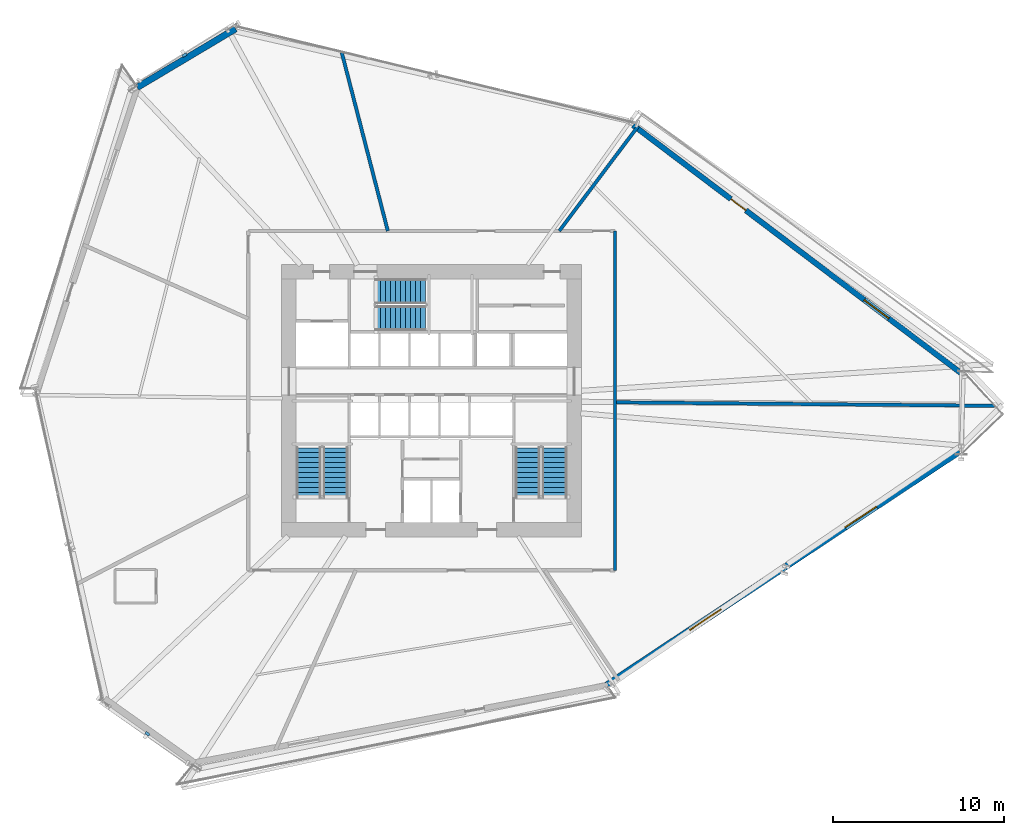
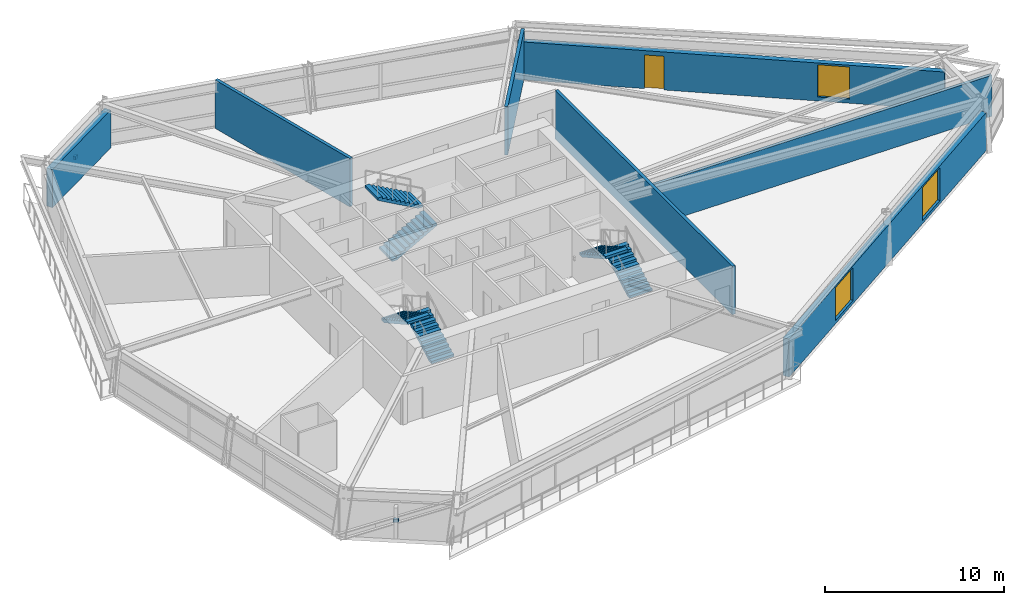
# One storey, part 20 of 24: 7 walls, 6 stair flights, 3 windows, 2 discrete accessories, 1 door, 4 openings, 3 elements without a shape of their own.
"""IFC4 building model written with IfcOpenShell, lengths in metres."""

import ifcopenshell
import ifcopenshell.guid

model = None  # the IFC model being written
_history = None  # IfcOwnerHistory: only IFC2X3 demands one
_inside = {}  # id of a spatial element -> (the spatial element, [elements in it])
_under = {}  # id of a project, library or spatial element -> (it, [spatial elements below it])
_declared = {}  # id of a project -> (the project, [libraries it declares])
_typed = {}  # id of a type object -> (the type object, [elements of that type])
_made_of = {}  # id of a material, layer set ... -> (it, [elements and type objects made of it])


def new_model(schema):
    """Start an empty IFC model of exactly this schema.

    Asked for "IFC4X3", IfcOpenShell would pick the latest addendum, in which some entities
    have other attributes; the version numbers below select the first issue.
    IFC2X3 requires an IfcOwnerHistory on every rooted entity: one is made here for all.
    """
    global model, _history
    if schema == "IFC4X3":
        model = ifcopenshell.file(schema_version=(4, 3, 0, 0))
    else:
        model = ifcopenshell.file(schema=schema)
    _inside.clear()
    _under.clear()
    _declared.clear()
    _typed.clear()
    _made_of.clear()
    _history = None
    if model.schema == "IFC2X3":
        org = make("IfcOrganization", Name="unknown")
        user = make(
            "IfcPersonAndOrganization",
            ThePerson=make("IfcPerson", FamilyName="unknown"),
            TheOrganization=org,
        )
        app = make(
            "IfcApplication",
            ApplicationDeveloper=org,
            Version="unknown",
            ApplicationFullName="unknown",
            ApplicationIdentifier="unknown",
        )
        _history = make(
            "IfcOwnerHistory",
            OwningUser=user,
            OwningApplication=app,
            ChangeAction="ADDED",
            CreationDate=0,
        )
    return model


def make(cls, **values):
    """One entity of the class cls with the attributes given. An attribute that is None is left unset."""
    return model.create_entity(
        cls, **{name: value for name, value in values.items() if value is not None}
    )


def rooted(cls, **values):
    """An entity with a GlobalId (a new one), such as an element, a storey or a relation."""
    return make(cls, GlobalId=ifcopenshell.guid.new(), OwnerHistory=_history, **values)


def si_unit(unit_type, name, prefix=None):
    """IfcSIUnit, for example si_unit("LENGTHUNIT", "METRE", prefix="MILLI")."""
    return make("IfcSIUnit", UnitType=unit_type, Prefix=prefix, Name=name)


def assignment(units):
    """IfcUnitAssignment: the units of a project."""
    return None if units is None else make("IfcUnitAssignment", Units=units)


def point(xyz):
    """IfcCartesianPoint."""
    return None if xyz is None else make("IfcCartesianPoint", Coordinates=xyz)


def direction(xyz):
    """IfcDirection."""
    return None if xyz is None else make("IfcDirection", DirectionRatios=xyz)


def frame(location, z_axis=None, x_axis=None):
    """IfcAxis2Placement3D, a coordinate frame: its origin and axes. An axis left out is left unset."""
    return make(
        "IfcAxis2Placement3D",
        Location=point(location),
        Axis=direction(z_axis),
        RefDirection=direction(x_axis),
    )


def frame_2d(location, x_axis=None):
    """IfcAxis2Placement2D, a coordinate frame in the plane: its origin and x axis."""
    return make(
        "IfcAxis2Placement2D", Location=point(location), RefDirection=direction(x_axis)
    )


def origin():
    """The frame at (0, 0, 0) with its axes left unset."""
    return frame((0.0, 0.0, 0.0))


def origin_2d():
    """The frame at (0, 0) in the plane with its x axis left unset."""
    return frame_2d((0.0, 0.0))


def place(relative_to, where):
    """IfcLocalPlacement: puts the frame where relative to a parent placement (None: the world)."""
    return make(
        "IfcLocalPlacement", PlacementRelTo=relative_to, RelativePlacement=where
    )


def context(
    kind, dimensions, precision=None, world=None, true_north=None, identifier=None
):
    """IfcGeometricRepresentationContext, for example the 3D "Model" context."""
    return make(
        "IfcGeometricRepresentationContext",
        ContextIdentifier=identifier,
        ContextType=kind,
        CoordinateSpaceDimension=dimensions,
        Precision=precision,
        WorldCoordinateSystem=world,
        TrueNorth=true_north,
    )


def subcontext(parent, identifier, kind, view, scale=None):
    """IfcGeometricRepresentationSubContext, for example "Body" below "Model"."""
    return make(
        "IfcGeometricRepresentationSubContext",
        ContextIdentifier=identifier,
        ContextType=kind,
        ParentContext=parent,
        TargetScale=scale,
        TargetView=view,
    )


def project(units=None, contexts=None):
    """IfcProject with its units and contexts."""
    return rooted(
        "IfcProject",
        Name="project",
        RepresentationContexts=contexts,
        UnitsInContext=assignment(units),
    )


def spatial(cls, under=None, at=None, **own):
    """A site, building, storey or space (cls), placed at a placement, below another one or the project."""
    s = rooted(cls, ObjectPlacement=at, **own)
    if under is not None:
        _under.setdefault(under.id(), (under, []))[1].append(s)
    return s


def polyline(points):
    """IfcPolyline through the points."""
    return make("IfcPolyline", Points=[point(p) for p in points])


def profile(cls, at=None, kind="AREA", **sizes):
    """A parametric profile (cls). Its sizes go by their IFC names, for example OverallWidth=200.0."""
    return make(cls, ProfileType=kind, Position=at, **sizes)


def rectangle(**sizes):
    """IfcRectangleProfileDef."""
    return profile("IfcRectangleProfileDef", **sizes)


def outline(outer, holes=None, kind="AREA"):
    """IfcArbitraryClosedProfileDef: a profile drawn as a closed curve; with holes, ...WithVoids."""
    if holes is None:
        return make("IfcArbitraryClosedProfileDef", ProfileType=kind, OuterCurve=outer)
    return make(
        "IfcArbitraryProfileDefWithVoids",
        ProfileType=kind,
        OuterCurve=outer,
        InnerCurves=holes,
    )


def extrude(swept, where, along, depth):
    """IfcExtrudedAreaSolid: the profile swept, set in the frame where, extruded along a direction by depth."""
    return make(
        "IfcExtrudedAreaSolid",
        SweptArea=swept,
        Position=where,
        ExtrudedDirection=direction(along),
        Depth=depth,
    )


def shape(context_of_items, identifier, shape_type, items):
    """IfcShapeRepresentation: the items that make up one representation, for example the "Body"."""
    return make(
        "IfcShapeRepresentation",
        ContextOfItems=context_of_items,
        RepresentationIdentifier=identifier,
        RepresentationType=shape_type,
        Items=items,
    )


def source(mapping_origin, context_of_items, identifier, shape_type, items):
    """IfcRepresentationMap: a shape defined once, which mapped items show again and again."""
    return make(
        "IfcRepresentationMap",
        MappingOrigin=mapping_origin,
        MappedRepresentation=shape(context_of_items, identifier, shape_type, items),
    )


def transform(
    local_origin,
    x_axis=None,
    y_axis=None,
    z_axis=None,
    scale=None,
    scale2=None,
    scale3=None,
    uniform=True,
):
    """IfcCartesianTransformationOperator3D, or its non-uniform kind. x_axis, y_axis, z_axis: its Axis1, 2, 3."""
    if uniform:
        return make(
            "IfcCartesianTransformationOperator3D",
            Axis1=direction(x_axis),
            Axis2=direction(y_axis),
            LocalOrigin=point(local_origin),
            Scale=scale,
            Axis3=direction(z_axis),
        )
    return make(
        "IfcCartesianTransformationOperator3DnonUniform",
        Axis1=direction(x_axis),
        Axis2=direction(y_axis),
        LocalOrigin=point(local_origin),
        Scale=scale,
        Axis3=direction(z_axis),
        Scale2=scale2,
        Scale3=scale3,
    )


def mapped(mapping_source, mapping_target):
    """IfcMappedItem: shows the shape of a source again, moved by a transform."""
    return make(
        "IfcMappedItem", MappingSource=mapping_source, MappingTarget=mapping_target
    )


def material(Name=None, Category=None):
    """IfcMaterial."""
    return make("IfcMaterial", Name=Name, Category=Category)


def layer(
    of_material, thickness, ventilated=None, Name=None, Category=None, Priority=None
):
    """IfcMaterialLayer: one layer of a wall or slab, of a material (None: an air gap)."""
    return make(
        "IfcMaterialLayer",
        Material=of_material,
        LayerThickness=thickness,
        IsVentilated=ventilated,
        Name=Name,
        Category=Category,
        Priority=Priority,
    )


def layer_set(layers, Name=None):
    """IfcMaterialLayerSet."""
    return make("IfcMaterialLayerSet", MaterialLayers=layers, LayerSetName=Name)


def made_of(thing, what):
    """Note that an element or type object is made of a material, layer set ...; save() writes the relation."""
    if what is not None:
        _made_of.setdefault(what.id(), (what, []))[1].append(thing)
    return thing


def type_object(cls, material=None, **own):
    """A type object (cls), such as IfcWallType, which elements share."""
    return made_of(rooted(cls, **own), material)


def type_shapes(of_type, sources):
    """Give a type object the sources (RepresentationMaps) that its elements show as mapped items."""
    of_type.RepresentationMaps = sources


def element(
    cls,
    number,
    at=None,
    inside=None,
    cuts=None,
    type_object=None,
    material=None,
    context=None,
    identifier="Body",
    shape_type=None,
    held_by="IfcProductDefinitionShape",
    body=None,
    shapes=None,
    **own,
):
    """One element of the class cls, such as IfcWall. Its Tag is "e" and its number.

    at: its placement. inside: the storey or other place that contains it. cuts: it is an
    opening in that element (IfcRelVoidsElement). A single representation is given by context,
    identifier, shape_type and body (its items); several are given by shapes. held_by: the class
    of the entity that holds the representations. save() writes the other relations.
    """
    e = rooted(cls, Tag="e%d" % number, ObjectPlacement=at, **own)
    if body is not None:
        shapes = [shape(context, identifier, shape_type, body)]
    if shapes is not None:
        e.Representation = make(held_by, Representations=shapes)
    if inside is not None:
        _inside.setdefault(inside.id(), (inside, []))[1].append(e)
    if cuts is not None:
        rooted(
            "IfcRelVoidsElement", RelatingBuildingElement=cuts, RelatedOpeningElement=e
        )
    if type_object is not None:
        _typed.setdefault(type_object.id(), (type_object, []))[1].append(e)
    return made_of(e, material)


def fill(opening, filler):
    """IfcRelFillsElement: the door or window that sits in an opening."""
    return rooted(
        "IfcRelFillsElement",
        RelatingOpeningElement=opening,
        RelatedBuildingElement=filler,
    )


def aggregate(whole, parts):
    """IfcRelAggregates: a whole, such as a stair, and the parts it consists of."""
    return rooted("IfcRelAggregates", RelatingObject=whole, RelatedObjects=parts)


def save(model, path):
    """Write the relations noted so far, then the file.

    IfcRelAggregates (storeys below a building ...), IfcRelContainedInSpatialStructure (elements
    in a storey), IfcRelDefinesByType, IfcRelAssociatesMaterial and IfcRelDeclares: one each for
    every whole, place, type object, material and project.
    """
    for whole, parts in _under.values():
        aggregate(whole, parts)
    for where, things in _inside.values():
        rooted(
            "IfcRelContainedInSpatialStructure",
            RelatedElements=things,
            RelatingStructure=where,
        )
    for kind, things in _typed.values():
        rooted("IfcRelDefinesByType", RelatedObjects=things, RelatingType=kind)
    for what, things in _made_of.values():
        rooted("IfcRelAssociatesMaterial", RelatedObjects=things, RelatingMaterial=what)
    for by, libraries in _declared.values():
        rooted("IfcRelDeclares", RelatingContext=by, RelatedDefinitions=libraries)
    model.write(path)


model = new_model("IFC4")

# Units and contexts
model_context = context("Model", 3, precision=1e-05, world=origin(), true_north=direction((0.0, 1.0)))
body_context = subcontext(model_context, "Body", "Model", "MODEL_VIEW")
ifc_project = project(units=[si_unit("LENGTHUNIT", "METRE"), si_unit("AREAUNIT", "SQUARE_METRE"), si_unit("VOLUMEUNIT", "CUBIC_METRE"), si_unit("PLANEANGLEUNIT", "RADIAN"), si_unit("MASSUNIT", "GRAM", prefix="KILO")], contexts=[model_context])

# Site, building, storey
site_placement = place(None, origin())
site = spatial("IfcSite", under=ifc_project, at=site_placement, CompositionType="ELEMENT")
building_placement = place(site_placement, origin())
building = spatial("IfcBuilding", under=site, at=building_placement, Name="Olszyna Solenne Hotel", CompositionType="ELEMENT")
storey_placement = place(building_placement, frame((0.0, 0.0, 29.300048828125)))
storey = spatial("IfcBuildingStorey", under=building, at=storey_placement, Name="L06", CompositionType="ELEMENT", Elevation=29.300048828125)

# Wall, openings, door, window
ifc_material_1 = material(Name="Precast concrete C45/55", Category="concrete")
ifc_layer_1 = layer(ifc_material_1, 0.320068359375, Name="Precast concrete C45/55")
ifc_layer_set_1 = layer_set([ifc_layer_1], Name="Precast concrete C45/55")
wall_type_1 = type_object("IfcWallType", Name="WL-EX320", PredefinedType="SOLIDWALL", material=ifc_layer_set_1)
wall_1_placement = place(storey_placement, frame((49.758056640625, 42.677734375, 0.0), z_axis=(0.0, 0.0, 1.0), x_axis=(0.79763695193, -0.603137872229, 0.0)))
wall_1 = element("IfcWall", 1, at=wall_1_placement, inside=storey, type_object=wall_type_1, Name="Exterior terracotta-precast frame wall WL-EX320 EW-L06-07", PredefinedType="SOLIDWALL", context=body_context, shape_type="SweptSolid", body=[
    extrude(rectangle(XDim=24.065185546875, YDim=0.320068359375, at=frame_2d((12.03271484375, 0.0))), origin(), (0.0, 0.0, 1.0), 2.592041015625),
])
opening_1_placement = place(wall_1_placement, frame((7.15087890625, 0.0, 0.0)))
opening_1 = element("IfcOpeningElement", 2, at=opening_1_placement, cuts=wall_1, Name="Opening LDG-L06-1", PredefinedType="OPENING", context=body_context, shape_type="SweptSolid", body=[
    extrude(rectangle(XDim=1.10009765625, YDim=2.300048828125, at=frame_2d((0.550048828125, 1.14990234375))), frame((0.0, 0.169921875, 0.0), z_axis=(0.0, -1.0, 0.0), x_axis=(1.0, 0.0, 0.0)), (0.0, 0.0, 1.0), 0.340087890625),
])
opening_2_placement = place(wall_1_placement, frame((16.907958984375, 0.0, 0.27197265625)))
opening_2 = element("IfcOpeningElement", 3, at=opening_2_placement, cuts=wall_1, Name="Opening WN-L06-023", PredefinedType="OPENING", context=body_context, shape_type="SweptSolid", body=[
    extrude(rectangle(XDim=1.800048828125, YDim=2.199951171875, at=frame_2d((0.89990234375, 1.10009765625))), frame((0.0, 0.169921875, 0.0), z_axis=(0.0, -1.0, 0.0), x_axis=(1.0, 0.0, 0.0)), (0.0, 0.0, 1.0), 0.340087890625),
])
ifc_material_2 = material(Name="Anodised bronze aluminium", Category="aluminium")
door_type = type_object("IfcDoorType", Name="DR-LG1", OperationType="NOTDEFINED", PredefinedType="DOOR", material=ifc_material_2)
shared_shape_1 = source(origin(), body_context, "Body", "SweptSolid", [
    extrude(rectangle(XDim=1.10009765625, YDim=2.300048828125, at=frame_2d((0.550048828125, 1.14990234375))), frame((0.0, 0.02490234375, 0.0), z_axis=(0.0, -1.0, 0.0), x_axis=(1.0, 0.0, 0.0)), (0.0, 0.0, 1.0), 0.050048828125),
])
type_shapes(door_type, [shared_shape_1])
door_placement = place(opening_1_placement, origin())
door = element("IfcDoor", 4, at=door_placement, inside=storey, type_object=door_type, Name="Exterior loggia balcony door DR-LG1 LDG-L06-1", OperationType="SINGLE_SWING_RIGHT", OverallHeight=2.300048828125, OverallWidth=1.10009765625, PredefinedType="DOOR", context=body_context, shape_type="MappedRepresentation", body=[
    mapped(shared_shape_1, transform((0.0, 0.0, 0.0), x_axis=(1.0, 0.0, 0.0), y_axis=(0.0, 1.0, 0.0), z_axis=(0.0, 0.0, 1.0), scale=1.0)),
])
fill(opening_1, door)
ifc_material_3 = material(Name="Low-E triple glazing", Category="glass")
window_type_1 = type_object("IfcWindowType", Name="WN-HT1", PartitioningType="SINGLE_PANEL", PredefinedType="WINDOW", material=ifc_material_3)
shared_shape_2 = source(origin(), body_context, "Body", "SweptSolid", [
    extrude(rectangle(XDim=1.800048828125, YDim=2.199951171875, at=frame_2d((0.89990234375, 1.10009765625))), frame((0.0, 0.030029296875, 0.0), z_axis=(0.0, -1.0, 0.0), x_axis=(1.0, 0.0, 0.0)), (0.0, 0.0, 1.0), 0.06005859375),
])
type_shapes(window_type_1, [shared_shape_2])
window_1_placement = place(opening_2_placement, origin())
window_1 = element("IfcWindow", 5, at=window_1_placement, inside=storey, type_object=window_type_1, Name="Loggia room window WN-HT1 WN-L06-023", OverallHeight=2.199951171875, OverallWidth=1.800048828125, PartitioningType="SINGLE_PANEL", PredefinedType="WINDOW", context=body_context, shape_type="MappedRepresentation", body=[
    mapped(shared_shape_2, transform((0.0, 0.0, 0.0), x_axis=(1.0, 0.0, 0.0), y_axis=(0.0, 1.0, 0.0), z_axis=(0.0, 0.0, 1.0), scale=1.0)),
])
fill(opening_2, window_1)

# Wall
ifc_material_4 = material(Name="Terracotta cladding on precast concrete C45/55", Category="masonry")
ifc_layer_2 = layer(ifc_material_4, 0.3798828125, Name="Terracotta cladding on precast concrete C45/55")
ifc_layer_set_2 = layer_set([ifc_layer_2], Name="Terracotta cladding on precast concrete C45/55")
wall_type_2 = type_object("IfcWallType", Name="WL-EX380", PredefinedType="SOLIDWALL", material=ifc_layer_set_2)
wall_2_placement = place(storey_placement, frame((20.81982421875, 44.877197265625, 0.0), z_axis=(0.0, 0.0, 1.0), x_axis=(0.858942957999, 0.512071279124, 0.0)))
element("IfcWall", 6, at=wall_2_placement, inside=storey, type_object=wall_type_2, Name="Exterior terracotta-precast frame wall WL-EX380 EW-L06-05", PredefinedType="SOLIDWALL", context=body_context, shape_type="SweptSolid", body=[
    extrude(rectangle(XDim=6.684326171875, YDim=0.3798828125, at=frame_2d((3.34228515625, 0.0))), origin(), (0.0, 0.0, 1.0), 2.592041015625),
])

# Wall, openings, windows
wall_3_placement = place(storey_placement, frame((68.80615234375, 23.628173828125, 0.0), z_axis=(0.0, 0.0, 1.0), x_axis=(-0.833933142534, -0.551865485225, 0.0)))
wall_3 = element("IfcWall", 7, at=wall_3_placement, inside=storey, type_object=wall_type_2, Name="Exterior terracotta-precast frame wall WL-EX380 EW-L06-10", PredefinedType="SOLIDWALL", context=body_context, shape_type="SweptSolid", body=[
    extrude(rectangle(XDim=24.69287109375, YDim=0.3798828125, at=frame_2d((12.346435546875, 0.0))), origin(), (0.0, 0.0, 1.0), 2.592041015625),
])
opening_3_placement = place(wall_3_placement, frame((5.81396484375, 0.0, 0.221923828125)))
opening_3 = element("IfcOpeningElement", 8, at=opening_3_placement, cuts=wall_3, Name="Opening WN-L06-024", PredefinedType="OPENING", context=body_context, shape_type="SweptSolid", body=[
    extrude(rectangle(XDim=2.199951171875, YDim=2.25, at=frame_2d((1.10009765625, 1.125))), frame((0.0, 0.199951171875, 0.0), z_axis=(0.0, -1.0, 0.0), x_axis=(1.0, 0.0, 0.0)), (0.0, 0.0, 1.0), 0.39990234375),
])
opening_4_placement = place(wall_3_placement, frame((16.678955078125, 0.0, 0.221923828125)))
opening_4 = element("IfcOpeningElement", 9, at=opening_4_placement, cuts=wall_3, Name="Opening WN-L06-025", PredefinedType="OPENING", context=body_context, shape_type="SweptSolid", body=[
    extrude(rectangle(XDim=2.199951171875, YDim=2.25, at=frame_2d((1.10009765625, 1.125))), frame((0.0, 0.199951171875, 0.0), z_axis=(0.0, -1.0, 0.0), x_axis=(1.0, 0.0, 0.0)), (0.0, 0.0, 1.0), 0.39990234375),
])
window_type_2 = type_object("IfcWindowType", Name="WN-HT2", PartitioningType="SINGLE_PANEL", PredefinedType="WINDOW", material=ifc_material_3)
shared_shape_3 = source(origin(), body_context, "Body", "SweptSolid", [
    extrude(rectangle(XDim=2.199951171875, YDim=2.25, at=frame_2d((1.10009765625, 1.125))), frame((0.0, 0.030029296875, 0.0), z_axis=(0.0, -1.0, 0.0), x_axis=(1.0, 0.0, 0.0)), (0.0, 0.0, 1.0), 0.06005859375),
])
type_shapes(window_type_2, [shared_shape_3])
window_2_placement = place(opening_3_placement, origin())
window_2 = element("IfcWindow", 10, at=window_2_placement, inside=storey, type_object=window_type_2, Name="Exterior facade window WN-HT2 WN-L06-024", OverallHeight=2.25, OverallWidth=2.199951171875, PartitioningType="SINGLE_PANEL", PredefinedType="WINDOW", context=body_context, shape_type="MappedRepresentation", body=[
    mapped(shared_shape_3, transform((0.0, 0.0, 0.0), x_axis=(1.0, 0.0, 0.0), y_axis=(0.0, 1.0, 0.0), z_axis=(0.0, 0.0, 1.0), scale=1.0)),
])
fill(opening_3, window_2)
window_3_placement = place(opening_4_placement, origin())
window_3 = element("IfcWindow", 11, at=window_3_placement, inside=storey, type_object=window_type_2, Name="Exterior facade window WN-HT2 WN-L06-025", OverallHeight=2.25, OverallWidth=2.199951171875, PartitioningType="SINGLE_PANEL", PredefinedType="WINDOW", context=body_context, shape_type="MappedRepresentation", body=[
    mapped(shared_shape_3, transform((0.0, 0.0, 0.0), x_axis=(1.0, 0.0, 0.0), y_axis=(0.0, 1.0, 0.0), z_axis=(0.0, 0.0, 1.0), scale=1.0)),
])
fill(opening_4, window_3)

# Walls
ifc_material_5 = material(Name="Acoustic gypsum partition", Category="gypsum")
ifc_layer_3 = layer(ifc_material_5, 0.199951171875, Name="Acoustic gypsum partition")
ifc_layer_set_3 = layer_set([ifc_layer_3], Name="Acoustic gypsum partition")
wall_type_3 = type_object("IfcWallType", Name="WL-PT200", PredefinedType="PARTITIONING", material=ifc_layer_set_3)
wall_4_placement = place(storey_placement, frame((48.699951171875, 26.501220703125, 0.0), z_axis=(0.0, 0.0, 1.0), x_axis=(0.999957523386, -0.009216909663, 0.0)))
element("IfcWall", 12, at=wall_4_placement, inside=storey, type_object=wall_type_3, Name="Interior acoustic partition WL-PT200 PW-L06-0358", PredefinedType="PARTITIONING", context=body_context, shape_type="SweptSolid", body=[
    extrude(rectangle(XDim=22.144287109375, YDim=0.199951171875, at=frame_2d((11.072265625, 0.0))), origin(), (0.0, 0.0, 1.0), 2.794921875),
])
wall_5_placement = place(storey_placement, frame((45.448486328125, 36.5, 0.0), z_axis=(0.0, 0.0, 1.0), x_axis=(0.601228787699, 0.799076932993, 0.0)))
element("IfcWall", 13, at=wall_5_placement, inside=storey, type_object=wall_type_3, Name="Interior acoustic partition WL-PT200 PW-L06-0359", PredefinedType="PARTITIONING", context=body_context, shape_type="SweptSolid", body=[
    extrude(rectangle(XDim=7.65673828125, YDim=0.199951171875, at=frame_2d((3.828369140625, 0.0))), origin(), (0.0, 0.0, 1.0), 3.300048828125),
])
wall_6_placement = place(storey_placement, frame((35.445068359375, 36.5, 0.0), z_axis=(0.0, 0.0, 1.0), x_axis=(-0.249907551093, 0.968269702049, 0.0)))
element("IfcWall", 14, at=wall_6_placement, inside=storey, type_object=wall_type_3, Name="Interior acoustic partition WL-PT200 PW-L06-0360", PredefinedType="PARTITIONING", context=body_context, shape_type="SweptSolid", body=[
    extrude(rectangle(XDim=10.7509765625, YDim=0.199951171875, at=frame_2d((5.37548828125, 0.0))), origin(), (0.0, 0.0, 1.0), 3.300048828125),
])
wall_7_placement = place(storey_placement, frame((48.699951171875, 16.699951171875, 0.0), z_axis=(0.0, 0.0, 1.0), x_axis=(0.0, 1.0, 0.0)))
element("IfcWall", 15, at=wall_7_placement, inside=storey, type_object=wall_type_3, Name="Interior acoustic partition WL-PT200 PW-L06-0370", PredefinedType="PARTITIONING", context=body_context, shape_type="SweptSolid", body=[
    extrude(rectangle(XDim=19.800048828125, YDim=0.199951171875, at=frame_2d((9.89990234375, 0.0))), origin(), (0.0, 0.0, 1.0), 3.300048828125),
])

# Stair, stair flights
ifc_material_6 = material(Name="Concrete C40/50", Category="concrete")
stair_type = type_object("IfcStairType", Name="STR-C1", PredefinedType="TWO_QUARTER_WINDING_STAIR", material=ifc_material_6)
stair_1_placement = place(storey_placement, origin())
stair_1 = element("IfcStair", 16, at=stair_1_placement, inside=storey, type_object=stair_type, Name="L06 ST1", PredefinedType="TWO_QUARTER_WINDING_STAIR")
stair_flight_type = type_object("IfcStairFlightType", Name="FLT-C1", PredefinedType="STRAIGHT", material=ifc_material_6)
stair_flight_1_placement = place(storey_placement, frame((32.39501953125, 20.949951171875, 0.0), z_axis=(0.0, 0.0, 1.0), x_axis=(0.0, 1.0, 0.0)))
stair_flight_1 = element("IfcStairFlight", 17, at=stair_flight_1_placement, type_object=stair_flight_type, Name="ST1 flight 1", NumberOfRisers=11, NumberOfTreads=10, PredefinedType="STRAIGHT", RiserHeight=0.161363636, TreadLength=0.29, context=body_context, shape_type="SweptSolid", body=[
    extrude(outline(polyline([(0.0, 0.0), (0.0, 0.161376953125), (0.2900390625, 0.161376953125), (0.2900390625, 0.32275390625), (0.580078125, 0.32275390625), (0.580078125, 0.484130859375), (0.8701171875, 0.484130859375), (0.8701171875, 0.6455078125), (1.159912109375, 0.6455078125), (1.159912109375, 0.806884765625), (1.449951171875, 0.806884765625), (1.449951171875, 0.96826171875), (1.739990234375, 0.96826171875), (1.739990234375, 1.129638671875), (2.030029296875, 1.129638671875), (2.030029296875, 1.291015625), (2.320068359375, 1.291015625), (2.320068359375, 1.452392578125), (2.610107421875, 1.452392578125), (2.610107421875, 1.613525390625), (2.89990234375, 1.613525390625), (2.89990234375, 1.77490234375), (2.89990234375, 1.442138671875), (0.308349609375, 0.0), (0.0, 0.0)])), frame((0.0, 0.72509765625, 0.0), z_axis=(0.0, -1.0, 0.0), x_axis=(1.0, 0.0, 0.0)), (0.0, 0.0, 1.0), 1.449951171875),
])
stair_flight_2_placement = place(storey_placement, frame((30.824951171875, 23.85009765625, 1.77490234375), z_axis=(0.0, 0.0, 1.0), x_axis=(0.0, -1.0, 0.0)))
stair_flight_2 = element("IfcStairFlight", 18, at=stair_flight_2_placement, type_object=stair_flight_type, Name="ST1 flight 2", NumberOfRisers=11, NumberOfTreads=10, PredefinedType="STRAIGHT", RiserHeight=0.161363636, TreadLength=0.29, context=body_context, shape_type="SweptSolid", body=[
    extrude(outline(polyline([(0.0, 0.0), (0.0, 0.161376953125), (0.2900390625, 0.161376953125), (0.2900390625, 0.32275390625), (0.580078125, 0.32275390625), (0.580078125, 0.484130859375), (0.8701171875, 0.484130859375), (0.8701171875, 0.6455078125), (1.159912109375, 0.6455078125), (1.159912109375, 0.806884765625), (1.449951171875, 0.806884765625), (1.449951171875, 0.96826171875), (1.739990234375, 0.96826171875), (1.739990234375, 1.129638671875), (2.030029296875, 1.129638671875), (2.030029296875, 1.291015625), (2.320068359375, 1.291015625), (2.320068359375, 1.452392578125), (2.610107421875, 1.452392578125), (2.610107421875, 1.613525390625), (2.89990234375, 1.613525390625), (2.89990234375, 1.77490234375), (2.89990234375, 1.442138671875), (0.308349609375, 0.0), (0.0, 0.0)])), frame((0.0, 0.72509765625, 0.0), z_axis=(0.0, -1.0, 0.0), x_axis=(1.0, 0.0, 0.0)), (0.0, 0.0, 1.0), 1.449951171875),
])
aggregate(stair_1, [stair_flight_1, stair_flight_2])

stair_2_placement = place(storey_placement, origin())
stair_2 = element("IfcStair", 19, at=stair_2_placement, inside=storey, type_object=stair_type, Name="L06 ST2", PredefinedType="TWO_QUARTER_WINDING_STAIR")
stair_flight_3_placement = place(storey_placement, frame((45.175048828125, 20.949951171875, 0.0), z_axis=(0.0, 0.0, 1.0), x_axis=(0.0, 1.0, 0.0)))
stair_flight_3 = element("IfcStairFlight", 20, at=stair_flight_3_placement, type_object=stair_flight_type, Name="ST2 flight 1", NumberOfRisers=11, NumberOfTreads=10, PredefinedType="STRAIGHT", RiserHeight=0.161363636, TreadLength=0.29, context=body_context, shape_type="SweptSolid", body=[
    extrude(outline(polyline([(0.0, 0.0), (0.0, 0.161376953125), (0.2900390625, 0.161376953125), (0.2900390625, 0.32275390625), (0.580078125, 0.32275390625), (0.580078125, 0.484130859375), (0.8701171875, 0.484130859375), (0.8701171875, 0.6455078125), (1.159912109375, 0.6455078125), (1.159912109375, 0.806884765625), (1.449951171875, 0.806884765625), (1.449951171875, 0.96826171875), (1.739990234375, 0.96826171875), (1.739990234375, 1.129638671875), (2.030029296875, 1.129638671875), (2.030029296875, 1.291015625), (2.320068359375, 1.291015625), (2.320068359375, 1.452392578125), (2.610107421875, 1.452392578125), (2.610107421875, 1.613525390625), (2.89990234375, 1.613525390625), (2.89990234375, 1.77490234375), (2.89990234375, 1.442138671875), (0.308349609375, 0.0), (0.0, 0.0)])), frame((0.0, 0.72509765625, 0.0), z_axis=(0.0, -1.0, 0.0), x_axis=(1.0, 0.0, 0.0)), (0.0, 0.0, 1.0), 1.449951171875),
])
stair_flight_4_placement = place(storey_placement, frame((43.60498046875, 23.85009765625, 1.77490234375), z_axis=(0.0, 0.0, 1.0), x_axis=(0.0, -1.0, 0.0)))
stair_flight_4 = element("IfcStairFlight", 21, at=stair_flight_4_placement, type_object=stair_flight_type, Name="ST2 flight 2", NumberOfRisers=11, NumberOfTreads=10, PredefinedType="STRAIGHT", RiserHeight=0.161363636, TreadLength=0.29, context=body_context, shape_type="SweptSolid", body=[
    extrude(outline(polyline([(0.0, 0.0), (0.0, 0.161376953125), (0.2900390625, 0.161376953125), (0.2900390625, 0.32275390625), (0.580078125, 0.32275390625), (0.580078125, 0.484130859375), (0.8701171875, 0.484130859375), (0.8701171875, 0.6455078125), (1.159912109375, 0.6455078125), (1.159912109375, 0.806884765625), (1.449951171875, 0.806884765625), (1.449951171875, 0.96826171875), (1.739990234375, 0.96826171875), (1.739990234375, 1.129638671875), (2.030029296875, 1.129638671875), (2.030029296875, 1.291015625), (2.320068359375, 1.291015625), (2.320068359375, 1.452392578125), (2.610107421875, 1.452392578125), (2.610107421875, 1.613525390625), (2.89990234375, 1.613525390625), (2.89990234375, 1.77490234375), (2.89990234375, 1.442138671875), (0.308349609375, 0.0), (0.0, 0.0)])), frame((0.0, 0.72509765625, 0.0), z_axis=(0.0, -1.0, 0.0), x_axis=(1.0, 0.0, 0.0)), (0.0, 0.0, 1.0), 1.449951171875),
])
aggregate(stair_2, [stair_flight_3, stair_flight_4])

stair_3_placement = place(storey_placement, origin())
stair_3 = element("IfcStair", 22, at=stair_3_placement, inside=storey, type_object=stair_type, Name="L06 ST3", PredefinedType="TWO_QUARTER_WINDING_STAIR")
stair_flight_5_placement = place(storey_placement, frame((34.72998046875, 31.405029296875, 0.0), z_axis=(0.0, 0.0, 1.0), x_axis=(1.0, 0.0, 0.0)))
stair_flight_5 = element("IfcStairFlight", 23, at=stair_flight_5_placement, type_object=stair_flight_type, Name="ST3 flight 1", NumberOfRisers=11, NumberOfTreads=10, PredefinedType="STRAIGHT", RiserHeight=0.161363636, TreadLength=0.29, context=body_context, shape_type="SweptSolid", body=[
    extrude(outline(polyline([(0.0, 0.0), (0.0, 0.161376953125), (0.2900390625, 0.161376953125), (0.2900390625, 0.32275390625), (0.580078125, 0.32275390625), (0.580078125, 0.484130859375), (0.8701171875, 0.484130859375), (0.8701171875, 0.6455078125), (1.159912109375, 0.6455078125), (1.159912109375, 0.806884765625), (1.449951171875, 0.806884765625), (1.449951171875, 0.96826171875), (1.739990234375, 0.96826171875), (1.739990234375, 1.129638671875), (2.030029296875, 1.129638671875), (2.030029296875, 1.291015625), (2.320068359375, 1.291015625), (2.320068359375, 1.452392578125), (2.610107421875, 1.452392578125), (2.610107421875, 1.613525390625), (2.89990234375, 1.613525390625), (2.89990234375, 1.77490234375), (2.89990234375, 1.442138671875), (0.308349609375, 0.0), (0.0, 0.0)])), frame((0.0, 0.72509765625, 0.0), z_axis=(0.0, -1.0, 0.0), x_axis=(1.0, 0.0, 0.0)), (0.0, 0.0, 1.0), 1.449951171875),
])
stair_flight_6_placement = place(storey_placement, frame((37.6298828125, 32.97509765625, 1.77490234375), z_axis=(0.0, 0.0, 1.0), x_axis=(-1.0, 0.0, 0.0)))
stair_flight_6 = element("IfcStairFlight", 24, at=stair_flight_6_placement, type_object=stair_flight_type, Name="ST3 flight 2", NumberOfRisers=11, NumberOfTreads=10, PredefinedType="STRAIGHT", RiserHeight=0.161363636, TreadLength=0.29, context=body_context, shape_type="SweptSolid", body=[
    extrude(outline(polyline([(0.0, 0.0), (0.0, 0.161376953125), (0.2900390625, 0.161376953125), (0.2900390625, 0.32275390625), (0.580078125, 0.32275390625), (0.580078125, 0.484130859375), (0.8701171875, 0.484130859375), (0.8701171875, 0.6455078125), (1.159912109375, 0.6455078125), (1.159912109375, 0.806884765625), (1.449951171875, 0.806884765625), (1.449951171875, 0.96826171875), (1.739990234375, 0.96826171875), (1.739990234375, 1.129638671875), (2.030029296875, 1.129638671875), (2.030029296875, 1.291015625), (2.320068359375, 1.291015625), (2.320068359375, 1.452392578125), (2.610107421875, 1.452392578125), (2.610107421875, 1.613525390625), (2.89990234375, 1.613525390625), (2.89990234375, 1.77490234375), (2.89990234375, 1.442138671875), (0.308349609375, 0.0), (0.0, 0.0)])), frame((0.0, 0.72509765625, 0.0), z_axis=(0.0, -1.0, 0.0), x_axis=(1.0, 0.0, 0.0)), (0.0, 0.0, 1.0), 1.449951171875),
])
aggregate(stair_3, [stair_flight_5, stair_flight_6])

# Discrete accessories
ifc_material_7 = material(Name="Steel S355J2", Category="steel")
discrete_accessory_type = type_object("IfcDiscreteAccessoryType", Name="BRK-01", PredefinedType="BRACKET", material=ifc_material_7)
shared_shape_4 = source(origin(), body_context, "Body", "SweptSolid", [
    extrude(rectangle(XDim=0.280029296875, YDim=0.159912109375, at=origin_2d()), origin(), (0.0, 0.0, 1.0), 0.219970703125),
])
for number, where, z_axis, x_axis, name in (
    (25, (21.41748046875, 7.15576171875, 1.18603515625), (0.0, 0.0, 1.0), (-0.814115518356, 0.580702955711, 0.0), "Facade support bracket BRK-FN-L06-02"),
    (26, (23.585693359375, 46.7646484375, 1.18603515625), (0.0, 0.0, 1.0), (0.858959896931, 0.512042864871, 0.0), "Facade support bracket BRK-FN-L06-05"),
):
    element("IfcDiscreteAccessory", number, at=place(storey_placement, frame(where, z_axis=z_axis, x_axis=x_axis)), inside=storey, type_object=discrete_accessory_type, Name=name, PredefinedType="BRACKET", context=body_context, shape_type="MappedRepresentation", body=[
        mapped(shared_shape_4, transform((0.0, 0.0, 0.0), x_axis=(1.0, 0.0, 0.0), y_axis=(0.0, 1.0, 0.0), z_axis=(0.0, 0.0, 1.0), scale=1.0)),
    ])

save(model, "model.ifc")
